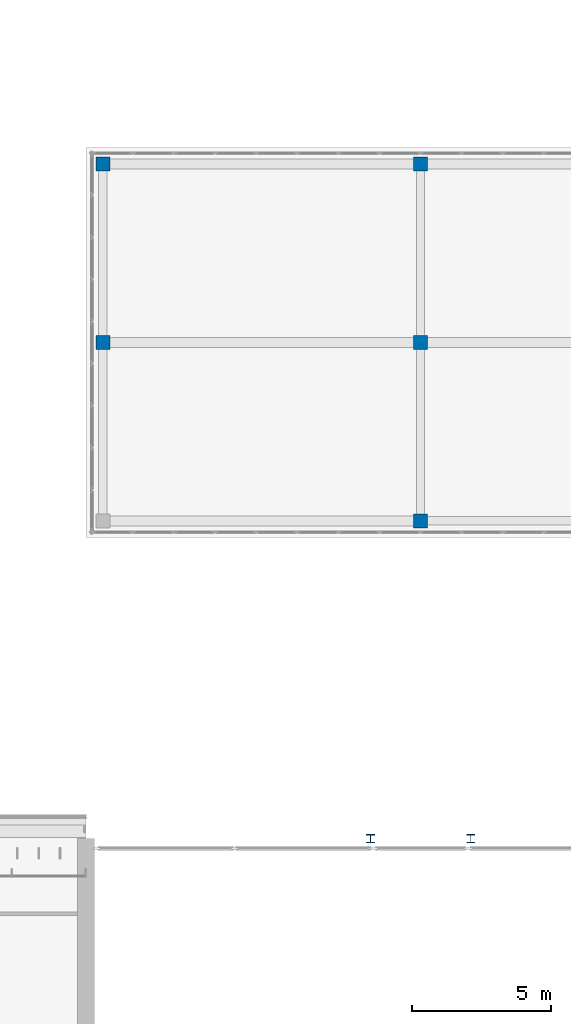
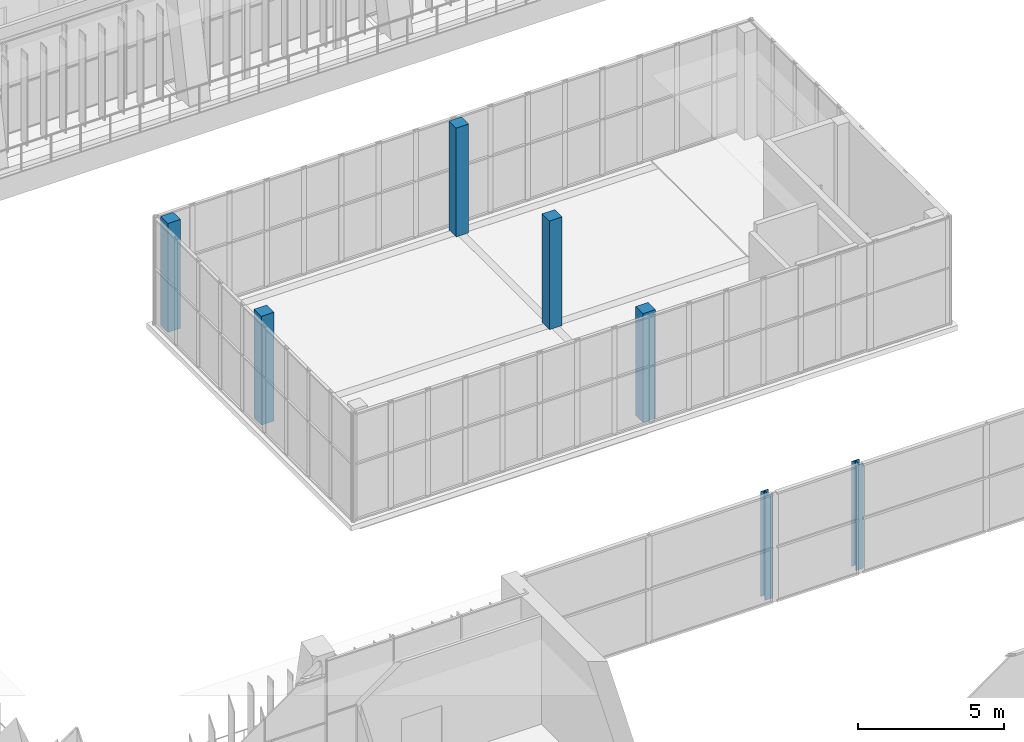
# One storey, part 2 of 92: 7 columns.
"""IFC4 building model written with IfcOpenShell, lengths in metres."""

import ifcopenshell
import ifcopenshell.guid

model = None  # the IFC model being written
_history = None  # IfcOwnerHistory: only IFC2X3 demands one
_inside = {}  # id of a spatial element -> (the spatial element, [elements in it])
_under = {}  # id of a project, library or spatial element -> (it, [spatial elements below it])
_declared = {}  # id of a project -> (the project, [libraries it declares])
_typed = {}  # id of a type object -> (the type object, [elements of that type])
_made_of = {}  # id of a material, layer set ... -> (it, [elements and type objects made of it])


def new_model(schema):
    """Start an empty IFC model of exactly this schema.

    Asked for "IFC4X3", IfcOpenShell would pick the latest addendum, in which some entities
    have other attributes; the version numbers below select the first issue.
    IFC2X3 requires an IfcOwnerHistory on every rooted entity: one is made here for all.
    """
    global model, _history
    if schema == "IFC4X3":
        model = ifcopenshell.file(schema_version=(4, 3, 0, 0))
    else:
        model = ifcopenshell.file(schema=schema)
    _inside.clear()
    _under.clear()
    _declared.clear()
    _typed.clear()
    _made_of.clear()
    _history = None
    if model.schema == "IFC2X3":
        org = make("IfcOrganization", Name="unknown")
        user = make(
            "IfcPersonAndOrganization",
            ThePerson=make("IfcPerson", FamilyName="unknown"),
            TheOrganization=org,
        )
        app = make(
            "IfcApplication",
            ApplicationDeveloper=org,
            Version="unknown",
            ApplicationFullName="unknown",
            ApplicationIdentifier="unknown",
        )
        _history = make(
            "IfcOwnerHistory",
            OwningUser=user,
            OwningApplication=app,
            ChangeAction="ADDED",
            CreationDate=0,
        )
    return model


def make(cls, **values):
    """One entity of the class cls with the attributes given. An attribute that is None is left unset."""
    return model.create_entity(
        cls, **{name: value for name, value in values.items() if value is not None}
    )


def rooted(cls, **values):
    """An entity with a GlobalId (a new one), such as an element, a storey or a relation."""
    return make(cls, GlobalId=ifcopenshell.guid.new(), OwnerHistory=_history, **values)


def si_unit(unit_type, name, prefix=None):
    """IfcSIUnit, for example si_unit("LENGTHUNIT", "METRE", prefix="MILLI")."""
    return make("IfcSIUnit", UnitType=unit_type, Prefix=prefix, Name=name)


def assignment(units):
    """IfcUnitAssignment: the units of a project."""
    return None if units is None else make("IfcUnitAssignment", Units=units)


def point(xyz):
    """IfcCartesianPoint."""
    return None if xyz is None else make("IfcCartesianPoint", Coordinates=xyz)


def direction(xyz):
    """IfcDirection."""
    return None if xyz is None else make("IfcDirection", DirectionRatios=xyz)


def frame(location, z_axis=None, x_axis=None):
    """IfcAxis2Placement3D, a coordinate frame: its origin and axes. An axis left out is left unset."""
    return make(
        "IfcAxis2Placement3D",
        Location=point(location),
        Axis=direction(z_axis),
        RefDirection=direction(x_axis),
    )


def frame_2d(location, x_axis=None):
    """IfcAxis2Placement2D, a coordinate frame in the plane: its origin and x axis."""
    return make(
        "IfcAxis2Placement2D", Location=point(location), RefDirection=direction(x_axis)
    )


def origin():
    """The frame at (0, 0, 0) with its axes left unset."""
    return frame((0.0, 0.0, 0.0))


def origin_2d():
    """The frame at (0, 0) in the plane with its x axis left unset."""
    return frame_2d((0.0, 0.0))


def place(relative_to, where):
    """IfcLocalPlacement: puts the frame where relative to a parent placement (None: the world)."""
    return make(
        "IfcLocalPlacement", PlacementRelTo=relative_to, RelativePlacement=where
    )


def context(
    kind, dimensions, precision=None, world=None, true_north=None, identifier=None
):
    """IfcGeometricRepresentationContext, for example the 3D "Model" context."""
    return make(
        "IfcGeometricRepresentationContext",
        ContextIdentifier=identifier,
        ContextType=kind,
        CoordinateSpaceDimension=dimensions,
        Precision=precision,
        WorldCoordinateSystem=world,
        TrueNorth=true_north,
    )


def subcontext(parent, identifier, kind, view, scale=None):
    """IfcGeometricRepresentationSubContext, for example "Body" below "Model"."""
    return make(
        "IfcGeometricRepresentationSubContext",
        ContextIdentifier=identifier,
        ContextType=kind,
        ParentContext=parent,
        TargetScale=scale,
        TargetView=view,
    )


def project(units=None, contexts=None):
    """IfcProject with its units and contexts."""
    return rooted(
        "IfcProject",
        Name="project",
        RepresentationContexts=contexts,
        UnitsInContext=assignment(units),
    )


def spatial(cls, under=None, at=None, **own):
    """A site, building, storey or space (cls), placed at a placement, below another one or the project."""
    s = rooted(cls, ObjectPlacement=at, **own)
    if under is not None:
        _under.setdefault(under.id(), (under, []))[1].append(s)
    return s


def profile(cls, at=None, kind="AREA", **sizes):
    """A parametric profile (cls). Its sizes go by their IFC names, for example OverallWidth=200.0."""
    return make(cls, ProfileType=kind, Position=at, **sizes)


def rectangle(**sizes):
    """IfcRectangleProfileDef."""
    return profile("IfcRectangleProfileDef", **sizes)


def i_section(**sizes):
    """IfcIShapeProfileDef."""
    return profile("IfcIShapeProfileDef", **sizes)


def extrude(swept, where, along, depth):
    """IfcExtrudedAreaSolid: the profile swept, set in the frame where, extruded along a direction by depth."""
    return make(
        "IfcExtrudedAreaSolid",
        SweptArea=swept,
        Position=where,
        ExtrudedDirection=direction(along),
        Depth=depth,
    )


def shape(context_of_items, identifier, shape_type, items):
    """IfcShapeRepresentation: the items that make up one representation, for example the "Body"."""
    return make(
        "IfcShapeRepresentation",
        ContextOfItems=context_of_items,
        RepresentationIdentifier=identifier,
        RepresentationType=shape_type,
        Items=items,
    )


def material(Name=None, Category=None):
    """IfcMaterial."""
    return make("IfcMaterial", Name=Name, Category=Category)


def material_profile(
    of_material, cross_section, Name=None, Category=None, Priority=None
):
    """IfcMaterialProfile: a cross section and its material."""
    return make(
        "IfcMaterialProfile",
        Name=Name,
        Material=of_material,
        Profile=cross_section,
        Priority=Priority,
        Category=Category,
    )


def profile_set(profiles, Name=None, composite=None):
    """IfcMaterialProfileSet."""
    return make(
        "IfcMaterialProfileSet",
        Name=Name,
        MaterialProfiles=profiles,
        CompositeProfile=composite,
    )


def made_of(thing, what):
    """Note that an element or type object is made of a material, layer set ...; save() writes the relation."""
    if what is not None:
        _made_of.setdefault(what.id(), (what, []))[1].append(thing)
    return thing


def type_object(cls, material=None, **own):
    """A type object (cls), such as IfcWallType, which elements share."""
    return made_of(rooted(cls, **own), material)


def element(
    cls,
    number,
    at=None,
    inside=None,
    cuts=None,
    type_object=None,
    material=None,
    context=None,
    identifier="Body",
    shape_type=None,
    held_by="IfcProductDefinitionShape",
    body=None,
    shapes=None,
    **own,
):
    """One element of the class cls, such as IfcWall. Its Tag is "e" and its number.

    at: its placement. inside: the storey or other place that contains it. cuts: it is an
    opening in that element (IfcRelVoidsElement). A single representation is given by context,
    identifier, shape_type and body (its items); several are given by shapes. held_by: the class
    of the entity that holds the representations. save() writes the other relations.
    """
    e = rooted(cls, Tag="e%d" % number, ObjectPlacement=at, **own)
    if body is not None:
        shapes = [shape(context, identifier, shape_type, body)]
    if shapes is not None:
        e.Representation = make(held_by, Representations=shapes)
    if inside is not None:
        _inside.setdefault(inside.id(), (inside, []))[1].append(e)
    if cuts is not None:
        rooted(
            "IfcRelVoidsElement", RelatingBuildingElement=cuts, RelatedOpeningElement=e
        )
    if type_object is not None:
        _typed.setdefault(type_object.id(), (type_object, []))[1].append(e)
    return made_of(e, material)


def aggregate(whole, parts):
    """IfcRelAggregates: a whole, such as a stair, and the parts it consists of."""
    return rooted("IfcRelAggregates", RelatingObject=whole, RelatedObjects=parts)


def save(model, path):
    """Write the relations noted so far, then the file.

    IfcRelAggregates (storeys below a building ...), IfcRelContainedInSpatialStructure (elements
    in a storey), IfcRelDefinesByType, IfcRelAssociatesMaterial and IfcRelDeclares: one each for
    every whole, place, type object, material and project.
    """
    for whole, parts in _under.values():
        aggregate(whole, parts)
    for where, things in _inside.values():
        rooted(
            "IfcRelContainedInSpatialStructure",
            RelatedElements=things,
            RelatingStructure=where,
        )
    for kind, things in _typed.values():
        rooted("IfcRelDefinesByType", RelatedObjects=things, RelatingType=kind)
    for what, things in _made_of.values():
        rooted("IfcRelAssociatesMaterial", RelatedObjects=things, RelatingMaterial=what)
    for by, libraries in _declared.values():
        rooted("IfcRelDeclares", RelatingContext=by, RelatedDefinitions=libraries)
    model.write(path)


model = new_model("IFC4")

# Units and contexts
model_context = context("Model", 3, precision=1e-05, world=origin(), true_north=direction((0.0, 1.0)))
body_context = subcontext(model_context, "Body", "Model", "MODEL_VIEW")
ifc_project = project(units=[si_unit("LENGTHUNIT", "METRE"), si_unit("AREAUNIT", "SQUARE_METRE"), si_unit("VOLUMEUNIT", "CUBIC_METRE"), si_unit("PLANEANGLEUNIT", "RADIAN"), si_unit("MASSUNIT", "GRAM", prefix="KILO")], contexts=[model_context])

# Site, building, storey
site_placement = place(None, origin())
site = spatial("IfcSite", under=ifc_project, at=site_placement, CompositionType="ELEMENT")
building_placement = place(site_placement, origin())
building = spatial("IfcBuilding", under=site, at=building_placement, Name="Lantern Court Media Centre", CompositionType="ELEMENT")
storey_placement = place(building_placement, frame((0.0, 0.0, 4.800048828125)))
storey = spatial("IfcBuildingStorey", under=building, at=storey_placement, Name="L01", CompositionType="ELEMENT", Elevation=4.800048828125)

# Columns
ifc_material_1 = material(Name="Steel S355J2 (EN 10025-2)", Category="steel")
ifc_material_profile_1 = material_profile(ifc_material_1, i_section(OverallWidth=0.300048828125, OverallDepth=0.300048828125, WebThickness=0.010986328125, FlangeThickness=0.01904296875, FilletRadius=0.027099609375, at=origin_2d()), Name="HEB 300")
ifc_profile_set_1 = profile_set([ifc_material_profile_1], Name="Steel S355J2 (EN 10025-2)")
column_type_1 = type_object("IfcColumnType", Name="Court bridge pier HEB 300", PredefinedType="COLUMN", material=ifc_profile_set_1)
for number, where, z_axis, x_axis, name in (
    (1, (50.199951171875, 62.199951171875, 0.0), (0.0, 0.0, 1.0), (1.0, 0.0, 0.0), "Court bridge bearing pier 1 upper"),
    (2, (53.800048828125, 62.199951171875, 0.0), (0.0, 0.0, 1.0), (1.0, 0.0, 0.0), "Court bridge bearing pier 2 upper"),
):
    element("IfcColumn", number, at=place(storey_placement, frame(where, z_axis=z_axis, x_axis=x_axis)), inside=storey, type_object=column_type_1, Name=name, PredefinedType="COLUMN", context=body_context, shape_type="SweptSolid", body=[
        extrude(i_section(OverallWidth=0.300048828125, OverallDepth=0.300048828125, WebThickness=0.010986328125, FlangeThickness=0.01904296875, FilletRadius=0.027099609375, at=origin_2d()), origin(), (0.0, 0.0, 1.0), 4.389892578125),
    ])
ifc_material_2 = material(Name="Concrete C35", Category="concrete")
ifc_material_profile_2 = material_profile(ifc_material_2, rectangle(XDim=0.5, YDim=0.5, at=origin_2d()), Name="RC 500x500")
ifc_profile_set_2 = profile_set([ifc_material_profile_2], Name="Concrete C35")
column_type_2 = type_object("IfcColumnType", Name="RC COLUMN 500x500", PredefinedType="COLUMN", material=ifc_profile_set_2)
for number, where, z_axis, x_axis, name in (
    (3, (40.60009765625, 80.0, 0.0), (0.0, 0.0, 1.0), (1.0, 0.0, 0.0), "C-PRESS-01-L01"),
    (4, (40.60009765625, 86.39990234375, 0.0), (0.0, 0.0, 1.0), (1.0, 0.0, 0.0), "C-PRESS-02-L01"),
    (5, (52.0, 73.60009765625, 0.0), (0.0, 0.0, 1.0), (1.0, 0.0, 0.0), "C-PRESS-10-L01"),
    (6, (52.0, 80.0, 0.0), (0.0, 0.0, 1.0), (1.0, 0.0, 0.0), "C-PRESS-11-L01"),
    (7, (52.0, 86.39990234375, 0.0), (0.0, 0.0, 1.0), (1.0, 0.0, 0.0), "C-PRESS-12-L01"),
):
    element("IfcColumn", number, at=place(storey_placement, frame(where, z_axis=z_axis, x_axis=x_axis)), inside=storey, type_object=column_type_2, Name=name, PredefinedType="COLUMN", context=body_context, shape_type="SweptSolid", body=[
        extrude(rectangle(XDim=0.5, YDim=0.5, at=origin_2d()), origin(), (0.0, 0.0, 1.0), 4.550048828125),
    ])

save(model, "model.ifc")
